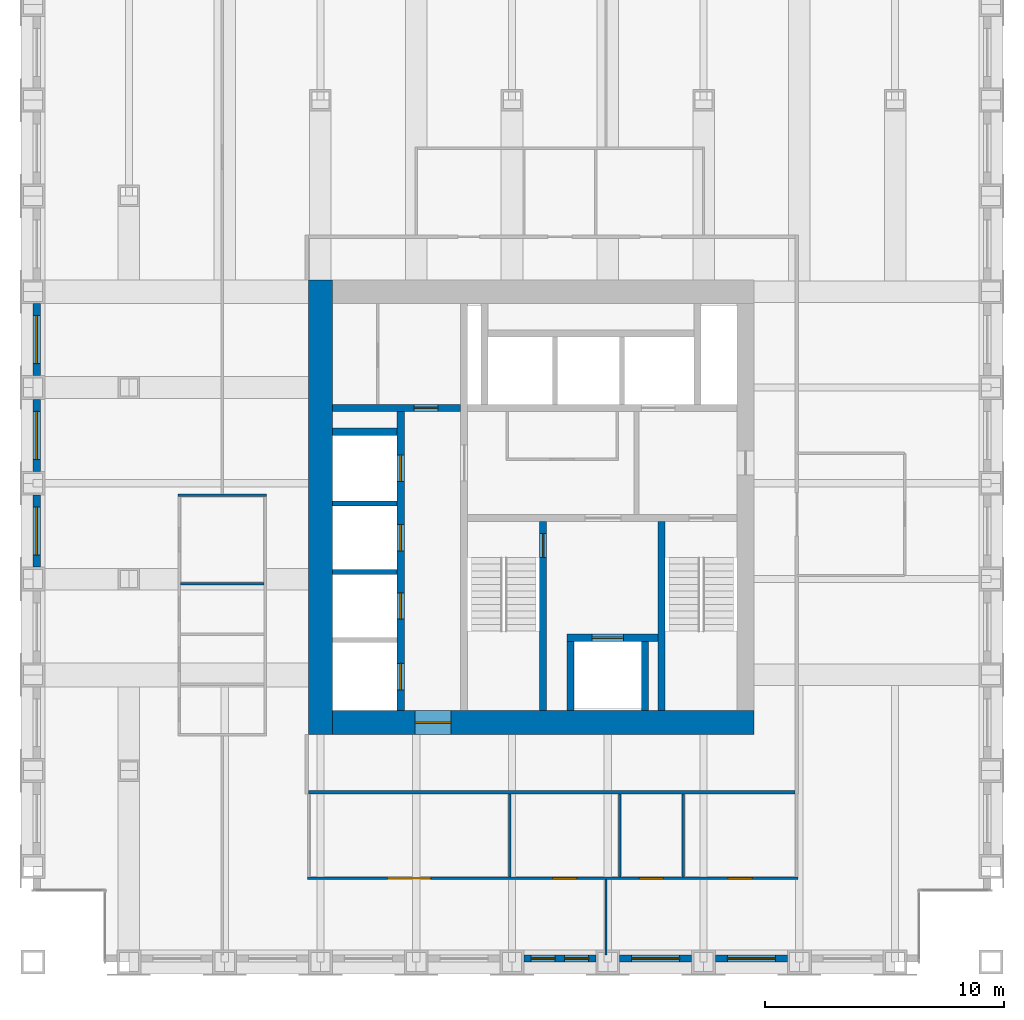
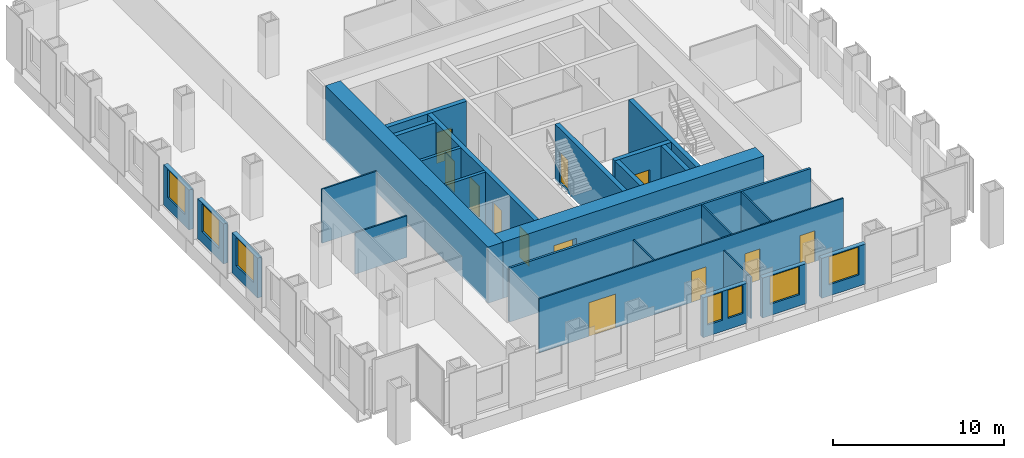
# One storey, part 9 of 13: 26 walls, 12 doors, 7 windows, 19 openings.
"""IFC4 building model written with IfcOpenShell, lengths in metres."""

from ifc_helpers import new_model, si_unit, direction, frame, frame_2d, origin, place, context, subcontext, project, spatial, rectangle, extrude, material, layer, layer_set, type_object, element, fill, save


model = new_model("IFC4")

# Units and contexts
model_context = context("Model", 3, precision=1e-05, world=origin(), true_north=direction((0.0, 1.0)))
body_context = subcontext(model_context, "Body", "Model", "MODEL_VIEW")
ifc_project = project(units=[si_unit("LENGTHUNIT", "METRE"), si_unit("AREAUNIT", "SQUARE_METRE"), si_unit("VOLUMEUNIT", "CUBIC_METRE"), si_unit("PLANEANGLEUNIT", "RADIAN"), si_unit("MASSUNIT", "GRAM", prefix="KILO")], contexts=[model_context])

# Site, building, storey
site_placement = place(None, origin())
site = spatial("IfcSite", under=ifc_project, at=site_placement, CompositionType="ELEMENT")
building_placement = place(site_placement, origin())
building = spatial("IfcBuilding", under=site, at=building_placement, Name="Rimbunsela Tower", CompositionType="ELEMENT")
storey_placement = place(building_placement, frame((0.0, 0.0, 195.800048828125)))
storey = spatial("IfcBuildingStorey", under=building, at=storey_placement, Name="L47", CompositionType="ELEMENT", Elevation=195.800048828125)

# Wall, opening, door
ifc_material_1 = material(Name="Concrete fc' 80 MPa", Category="concrete")
ifc_layer_1 = layer(ifc_material_1, 0.300048828125)
ifc_layer_set_1 = layer_set([ifc_layer_1], Name="Core internal wall 300")
wall_type_1 = type_object("IfcWallType", Name="Core internal wall 300", PredefinedType="SHEAR", material=ifc_layer_set_1)
wall_1_placement = place(storey_placement, frame((27.300048828125, 18.5, -0.150146484375), z_axis=(0.0, 0.0, 1.0), x_axis=(0.0, 1.0, 0.0)))
wall_1 = element("IfcWall", 1, at=wall_1_placement, inside=storey, type_object=wall_type_1, Name="Stair A enclosure", PredefinedType="SHEAR", context=body_context, shape_type="SweptSolid", body=[
    extrude(rectangle(XDim=7.89990234375, YDim=0.300048828125, at=frame_2d((3.949951171875, 0.0))), origin(), (0.0, 0.0, 1.0), 4.0),
])
opening_1_placement = place(wall_1_placement, frame((6.39990234375, 0.0, 0.14990234375)))
opening_1 = element("IfcOpeningElement", 2, at=opening_1_placement, cuts=wall_1, Name="Opening D01", PredefinedType="OPENING", context=body_context, shape_type="SweptSolid", body=[
    extrude(rectangle(XDim=1.0, YDim=2.199951171875, at=frame_2d((0.5, 1.10009765625))), frame((0.0, 0.159912109375, 0.0), z_axis=(0.0, -1.0, 0.0), x_axis=(1.0, 0.0, 0.0)), (0.0, 0.0, 1.0), 0.320068359375),
])
ifc_material_2 = material(Name="Steel door, fire rated", Category="steel")
door_type_1 = type_object("IfcDoorType", Name="Stair door 1000", OperationType="SINGLE_SWING_RIGHT", PredefinedType="DOOR", material=ifc_material_2)
door_1_placement = place(opening_1_placement, origin())
door_1 = element("IfcDoor", 3, at=door_1_placement, inside=storey, type_object=door_type_1, Name="Stair A door", OperationType="SINGLE_SWING_RIGHT", OverallHeight=2.199951171875, OverallWidth=1.0, PredefinedType="DOOR", context=body_context, shape_type="SweptSolid", body=[
    extrude(rectangle(XDim=1.0, YDim=2.199951171875, at=frame_2d((0.5, 1.10009765625))), frame((0.0, 0.02490234375, 0.0), z_axis=(0.0, -1.0, 0.0), x_axis=(1.0, 0.0, 0.0)), (0.0, 0.0, 1.0), 0.050048828125),
])
fill(opening_1, door_1)

# Walls
wall_2_placement = place(storey_placement, frame((32.25, 18.5, -0.150146484375), z_axis=(0.0, 0.0, 1.0), x_axis=(0.0, 1.0, 0.0)))
element("IfcWall", 4, at=wall_2_placement, inside=storey, type_object=wall_type_1, Name="Stair B enclosure", PredefinedType="SHEAR", context=body_context, shape_type="SweptSolid", body=[
    extrude(rectangle(XDim=7.89990234375, YDim=0.300048828125, at=frame_2d((3.949951171875, 0.0))), origin(), (0.0, 0.0, 1.0), 4.0),
])
for number, where, z_axis, x_axis, name in (
    (5, (28.449951171875, 18.5, -0.150146484375), (0.0, 0.0, 1.0), (0.0, 1.0, 0.0), "Firefighting lift shaft west"),
    (6, (31.550048828125, 18.5, -0.150146484375), (0.0, 0.0, 1.0), (0.0, 1.0, 0.0), "Firefighting lift shaft east"),
):
    element("IfcWall", number, at=place(storey_placement, frame(where, z_axis=z_axis, x_axis=x_axis)), inside=storey, type_object=wall_type_1, Name=name, PredefinedType="SHEAR", context=body_context, shape_type="SweptSolid", body=[
        extrude(rectangle(XDim=2.89990234375, YDim=0.300048828125, at=frame_2d((1.449951171875, 0.0))), origin(), (0.0, 0.0, 1.0), 4.0),
    ])

# Wall, opening, door
wall_3_placement = place(storey_placement, frame((28.300048828125, 21.550048828125, -0.150146484375), z_axis=(0.0, 0.0, 1.0), x_axis=(1.0, 0.0, 0.0)))
wall_3 = element("IfcWall", 7, at=wall_3_placement, inside=storey, type_object=wall_type_1, Name="Firefighting lift shaft front", PredefinedType="SHEAR", context=body_context, shape_type="SweptSolid", body=[
    extrude(rectangle(XDim=3.800048828125, YDim=0.300048828125, at=frame_2d((1.89990234375, 0.0))), origin(), (0.0, 0.0, 1.0), 4.0),
])
opening_2_placement = place(wall_3_placement, frame((1.050048828125, 0.0, 0.14990234375)))
opening_2 = element("IfcOpeningElement", 8, at=opening_2_placement, cuts=wall_3, Name="Opening LD2", PredefinedType="OPENING", context=body_context, shape_type="SweptSolid", body=[
    extrude(rectangle(XDim=1.300048828125, YDim=2.39990234375, at=frame_2d((0.64990234375, 1.199951171875))), frame((0.0, 0.159912109375, 0.0), z_axis=(0.0, -1.0, 0.0), x_axis=(1.0, 0.0, 0.0)), (0.0, 0.0, 1.0), 0.320068359375),
])
ifc_material_3 = material(Name="Steel door, fire rated", Category="steel")
door_type_2 = type_object("IfcDoorType", Name="Lift landing door 1300", OperationType="DOUBLE_DOOR_SLIDING", PredefinedType="DOOR", material=ifc_material_3)
door_2_placement = place(opening_2_placement, origin())
door_2 = element("IfcDoor", 9, at=door_2_placement, inside=storey, type_object=door_type_2, Name="Lift landing door FL1", OperationType="DOUBLE_DOOR_SLIDING", OverallHeight=2.39990234375, OverallWidth=1.300048828125, PredefinedType="DOOR", context=body_context, shape_type="SweptSolid", body=[
    extrude(rectangle(XDim=1.300048828125, YDim=2.39990234375, at=frame_2d((0.64990234375, 1.199951171875))), frame((0.0, 0.02490234375, 0.0), z_axis=(0.0, -1.0, 0.0), x_axis=(1.0, 0.0, 0.0)), (0.0, 0.0, 1.0), 0.050048828125),
])
fill(opening_2, door_2)

# Wall, openings, doors
wall_4_placement = place(storey_placement, frame((21.35009765625, 18.5, -0.150146484375), z_axis=(0.0, 0.0, 1.0), x_axis=(0.0, 1.0, 0.0)))
wall_4 = element("IfcWall", 10, at=wall_4_placement, inside=storey, type_object=wall_type_1, Name="Lift shaft front west", PredefinedType="SHEAR", context=body_context, shape_type="SweptSolid", body=[
    extrude(rectangle(XDim=12.5, YDim=0.300048828125, at=frame_2d((6.25, 0.0))), origin(), (0.0, 0.0, 1.0), 4.0),
])
opening_3_placement = place(wall_4_placement, frame((0.875, 0.0, 0.14990234375)))
opening_3 = element("IfcOpeningElement", 11, at=opening_3_placement, cuts=wall_4, Name="Opening LD1", PredefinedType="OPENING", context=body_context, shape_type="SweptSolid", body=[
    extrude(rectangle(XDim=1.10009765625, YDim=2.199951171875, at=frame_2d((0.550048828125, 1.10009765625))), frame((0.0, 0.159912109375, 0.0), z_axis=(0.0, -1.0, 0.0), x_axis=(1.0, 0.0, 0.0)), (0.0, 0.0, 1.0), 0.320068359375),
])
opening_4_placement = place(wall_4_placement, frame((3.824951171875, 0.0, 0.14990234375)))
opening_4 = element("IfcOpeningElement", 12, at=opening_4_placement, cuts=wall_4, Name="Opening LD1", PredefinedType="OPENING", context=body_context, shape_type="SweptSolid", body=[
    extrude(rectangle(XDim=1.10009765625, YDim=2.199951171875, at=frame_2d((0.550048828125, 1.10009765625))), frame((0.0, 0.159912109375, 0.0), z_axis=(0.0, -1.0, 0.0), x_axis=(1.0, 0.0, 0.0)), (0.0, 0.0, 1.0), 0.320068359375),
])
opening_5_placement = place(wall_4_placement, frame((6.675048828125, 0.0, 0.14990234375)))
opening_5 = element("IfcOpeningElement", 13, at=opening_5_placement, cuts=wall_4, Name="Opening LD1", PredefinedType="OPENING", context=body_context, shape_type="SweptSolid", body=[
    extrude(rectangle(XDim=1.10009765625, YDim=2.199951171875, at=frame_2d((0.550048828125, 1.10009765625))), frame((0.0, 0.159912109375, 0.0), z_axis=(0.0, -1.0, 0.0), x_axis=(1.0, 0.0, 0.0)), (0.0, 0.0, 1.0), 0.320068359375),
])
opening_6_placement = place(wall_4_placement, frame((9.574951171875, 0.0, 0.14990234375)))
opening_6 = element("IfcOpeningElement", 14, at=opening_6_placement, cuts=wall_4, Name="Opening LD1", PredefinedType="OPENING", context=body_context, shape_type="SweptSolid", body=[
    extrude(rectangle(XDim=1.10009765625, YDim=2.199951171875, at=frame_2d((0.550048828125, 1.10009765625))), frame((0.0, 0.159912109375, 0.0), z_axis=(0.0, -1.0, 0.0), x_axis=(1.0, 0.0, 0.0)), (0.0, 0.0, 1.0), 0.320068359375),
])
ifc_material_4 = material(Name="Steel door, fire rated", Category="steel")
door_type_3 = type_object("IfcDoorType", Name="Lift landing door 1100", OperationType="DOUBLE_DOOR_SLIDING", PredefinedType="DOOR", material=ifc_material_4)
door_3_placement = place(opening_3_placement, origin())
door_3 = element("IfcDoor", 15, at=door_3_placement, inside=storey, type_object=door_type_3, Name="Lift landing door HL1", OperationType="DOUBLE_DOOR_SLIDING", OverallHeight=2.199951171875, OverallWidth=1.10009765625, PredefinedType="DOOR", context=body_context, shape_type="SweptSolid", body=[
    extrude(rectangle(XDim=1.10009765625, YDim=2.199951171875, at=frame_2d((0.550048828125, 1.10009765625))), frame((0.0, 0.02490234375, 0.0), z_axis=(0.0, -1.0, 0.0), x_axis=(1.0, 0.0, 0.0)), (0.0, 0.0, 1.0), 0.050048828125),
])
fill(opening_3, door_3)
door_4_placement = place(opening_4_placement, origin())
door_4 = element("IfcDoor", 16, at=door_4_placement, inside=storey, type_object=door_type_3, Name="Lift landing door HL2", OperationType="DOUBLE_DOOR_SLIDING", OverallHeight=2.199951171875, OverallWidth=1.10009765625, PredefinedType="DOOR", context=body_context, shape_type="SweptSolid", body=[
    extrude(rectangle(XDim=1.10009765625, YDim=2.199951171875, at=frame_2d((0.550048828125, 1.10009765625))), frame((0.0, 0.02490234375, 0.0), z_axis=(0.0, -1.0, 0.0), x_axis=(1.0, 0.0, 0.0)), (0.0, 0.0, 1.0), 0.050048828125),
])
fill(opening_4, door_4)
door_5_placement = place(opening_5_placement, origin())
door_5 = element("IfcDoor", 17, at=door_5_placement, inside=storey, type_object=door_type_3, Name="Lift landing door HL3", OperationType="DOUBLE_DOOR_SLIDING", OverallHeight=2.199951171875, OverallWidth=1.10009765625, PredefinedType="DOOR", context=body_context, shape_type="SweptSolid", body=[
    extrude(rectangle(XDim=1.10009765625, YDim=2.199951171875, at=frame_2d((0.550048828125, 1.10009765625))), frame((0.0, 0.02490234375, 0.0), z_axis=(0.0, -1.0, 0.0), x_axis=(1.0, 0.0, 0.0)), (0.0, 0.0, 1.0), 0.050048828125),
])
fill(opening_5, door_5)
door_6_placement = place(opening_6_placement, origin())
door_6 = element("IfcDoor", 18, at=door_6_placement, inside=storey, type_object=door_type_3, Name="Lift landing door HL4", OperationType="DOUBLE_DOOR_SLIDING", OverallHeight=2.199951171875, OverallWidth=1.10009765625, PredefinedType="DOOR", context=body_context, shape_type="SweptSolid", body=[
    extrude(rectangle(XDim=1.10009765625, YDim=2.199951171875, at=frame_2d((0.550048828125, 1.10009765625))), frame((0.0, 0.02490234375, 0.0), z_axis=(0.0, -1.0, 0.0), x_axis=(1.0, 0.0, 0.0)), (0.0, 0.0, 1.0), 0.050048828125),
])
fill(opening_6, door_6)

# Wall, opening, door
wall_5_placement = place(storey_placement, frame((18.5, 31.14990234375, -0.150146484375), z_axis=(0.0, 0.0, 1.0), x_axis=(1.0, 0.0, 0.0)))
wall_5 = element("IfcWall", 19, at=wall_5_placement, inside=storey, type_object=wall_type_1, Name="Store wall", PredefinedType="SHEAR", context=body_context, shape_type="SweptSolid", body=[
    extrude(rectangle(XDim=5.35009765625, YDim=0.300048828125, at=frame_2d((2.675048828125, 0.0))), origin(), (0.0, 0.0, 1.0), 4.0),
])
opening_7_placement = place(wall_5_placement, frame((3.39990234375, 0.0, 0.14990234375)))
opening_7 = element("IfcOpeningElement", 20, at=opening_7_placement, cuts=wall_5, Name="Opening D19", PredefinedType="OPENING", context=body_context, shape_type="SweptSolid", body=[
    extrude(rectangle(XDim=1.0, YDim=2.199951171875, at=frame_2d((0.5, 1.10009765625))), frame((0.0, 0.159912109375, 0.0), z_axis=(0.0, -1.0, 0.0), x_axis=(1.0, 0.0, 0.0)), (0.0, 0.0, 1.0), 0.320068359375),
])
ifc_material_5 = material(Name="Steel door, fire rated", Category="steel")
door_type_4 = type_object("IfcDoorType", Name="Service door 1000 fire rated", OperationType="SINGLE_SWING_LEFT", PredefinedType="DOOR", material=ifc_material_5)
door_7_placement = place(opening_7_placement, origin())
door_7 = element("IfcDoor", 21, at=door_7_placement, inside=storey, type_object=door_type_4, Name="Facilities store door", OperationType="SINGLE_SWING_LEFT", OverallHeight=2.199951171875, OverallWidth=1.0, PredefinedType="DOOR", context=body_context, shape_type="SweptSolid", body=[
    extrude(rectangle(XDim=1.0, YDim=2.199951171875, at=frame_2d((0.5, 1.10009765625))), frame((0.0, 0.02490234375, 0.0), z_axis=(0.0, -1.0, 0.0), x_axis=(1.0, 0.0, 0.0)), (0.0, 0.0, 1.0), 0.050048828125),
])
fill(opening_7, door_7)

# Walls
wall_6_placement = place(storey_placement, frame((18.5, 30.14990234375, -0.150146484375), z_axis=(0.0, 0.0, 1.0), x_axis=(1.0, 0.0, 0.0)))
element("IfcWall", 22, at=wall_6_placement, inside=storey, type_object=wall_type_1, Name="Lift shaft rear west", PredefinedType="SHEAR", context=body_context, shape_type="SweptSolid", body=[
    extrude(rectangle(XDim=2.699951171875, YDim=0.300048828125, at=frame_2d((1.35009765625, 0.0))), origin(), (0.0, 0.0, 1.0), 4.0),
])
ifc_material_6 = material(Name="Concrete fc' 80 MPa", Category="concrete")
ifc_layer_2 = layer(ifc_material_6, 1.0)
ifc_layer_set_2 = layer_set([ifc_layer_2], Name="Core wall 1000")
wall_type_2 = type_object("IfcWallType", Name="Core wall 1000", PredefinedType="SHEAR", material=ifc_layer_set_2)
wall_7_placement = place(storey_placement, frame((18.0, 17.5, -0.150146484375), z_axis=(0.0, 0.0, 1.0), x_axis=(0.0, 1.0, 0.0)))
element("IfcWall", 23, at=wall_7_placement, inside=storey, type_object=wall_type_2, Name="Core wall west", PredefinedType="SHEAR", context=body_context, shape_type="SweptSolid", body=[
    extrude(rectangle(XDim=19.0, YDim=1.0, at=frame_2d((9.5, 0.0))), origin(), (0.0, 0.0, 1.0), 4.0),
])

# Wall, opening, door
wall_8_placement = place(storey_placement, frame((18.5, 18.0, -0.150146484375), z_axis=(0.0, 0.0, 1.0), x_axis=(1.0, 0.0, 0.0)))
wall_8 = element("IfcWall", 24, at=wall_8_placement, inside=storey, type_object=wall_type_2, Name="Core wall south", PredefinedType="SHEAR", context=body_context, shape_type="SweptSolid", body=[
    extrude(rectangle(XDim=17.60009765625, YDim=1.0, at=frame_2d((8.800048828125, 0.0))), origin(), (0.0, 0.0, 1.0), 4.0),
])
opening_8_placement = place(wall_8_placement, frame((3.449951171875, 0.0, 0.14990234375)))
opening_8 = element("IfcOpeningElement", 25, at=opening_8_placement, cuts=wall_8, Name="Opening D03", PredefinedType="OPENING", context=body_context, shape_type="SweptSolid", body=[
    extrude(rectangle(XDim=1.5, YDim=2.39990234375, at=frame_2d((0.75, 1.199951171875))), frame((0.0, 0.510009765625, 0.0), z_axis=(0.0, -1.0, 0.0), x_axis=(1.0, 0.0, 0.0)), (0.0, 0.0, 1.0), 1.02001953125),
])
ifc_material_7 = material(Name="Steel door, fire rated", Category="steel")
door_type_5 = type_object("IfcDoorType", Name="Core lobby door 1500", OperationType="DOUBLE_DOOR_DOUBLE_SWING", PredefinedType="DOOR", material=ifc_material_7)
door_8_placement = place(opening_8_placement, origin())
door_8 = element("IfcDoor", 26, at=door_8_placement, inside=storey, type_object=door_type_5, Name="Core door south", OperationType="DOUBLE_DOOR_DOUBLE_SWING", OverallHeight=2.39990234375, OverallWidth=1.5, PredefinedType="DOOR", context=body_context, shape_type="SweptSolid", body=[
    extrude(rectangle(XDim=1.5, YDim=2.39990234375, at=frame_2d((0.75, 1.199951171875))), frame((0.0, 0.02490234375, 0.0), z_axis=(0.0, -1.0, 0.0), x_axis=(1.0, 0.0, 0.0)), (0.0, 0.0, 1.0), 0.050048828125),
])
fill(opening_8, door_8)

# Walls
ifc_material_8 = material(Name="Concrete blockwork", Category="masonry")
ifc_layer_3 = layer(ifc_material_8, 0.199951171875)
ifc_layer_set_3 = layer_set([ifc_layer_3], Name="Lift shaft wall 200")
wall_type_3 = type_object("IfcWallType", Name="Lift shaft wall 200", PredefinedType="SOLIDWALL", material=ifc_layer_set_3)
for number, where, z_axis, x_axis, name in (
    (27, (18.5, 24.300048828125, -0.150146484375), (0.0, 0.0, 1.0), (1.0, 0.0, 0.0), "Lift shaft separation"),
    (28, (18.5, 27.14990234375, -0.150146484375), (0.0, 0.0, 1.0), (1.0, 0.0, 0.0), "Lift shaft separation"),
):
    element("IfcWall", number, at=place(storey_placement, frame(where, z_axis=z_axis, x_axis=x_axis)), inside=storey, type_object=wall_type_3, Name=name, PredefinedType="SOLIDWALL", context=body_context, shape_type="SweptSolid", body=[
        extrude(rectangle(XDim=2.699951171875, YDim=0.199951171875, at=frame_2d((1.35009765625, 0.0))), origin(), (0.0, 0.0, 1.0), 4.0),
    ])

# Wall, openings, doors
ifc_material_9 = material(Name="Gypsum board on steel studs", Category="steel")
ifc_layer_4 = layer(ifc_material_9, 0.10009765625)
ifc_layer_set_4 = layer_set([ifc_layer_4], Name="Office partition 100")
wall_type_4 = type_object("IfcWallType", Name="Office partition 100", PredefinedType="PARTITIONING", material=ifc_layer_set_4)
wall_9_placement = place(storey_placement, frame((17.449951171875, 11.5, 0.0), z_axis=(0.0, 0.0, 1.0), x_axis=(1.0, 0.0, 0.0)))
wall_9 = element("IfcWall", 29, at=wall_9_placement, inside=storey, type_object=wall_type_4, Name="Office partition", PredefinedType="PARTITIONING", context=body_context, shape_type="SweptSolid", body=[
    extrude(rectangle(XDim=20.5, YDim=0.10009765625, at=frame_2d((10.25, 0.0))), origin(), (0.0, 0.0, 1.0), 3.849853515625),
])
opening_9_placement = place(wall_9_placement, frame((3.35009765625, 0.0, 0.0)))
opening_9 = element("IfcOpeningElement", 30, at=opening_9_placement, cuts=wall_9, Name="Opening D18", PredefinedType="OPENING", context=body_context, shape_type="SweptSolid", body=[
    extrude(rectangle(XDim=1.800048828125, YDim=2.39990234375, at=frame_2d((0.89990234375, 1.199951171875))), frame((0.0, 0.06005859375, 0.0), z_axis=(0.0, -1.0, 0.0), x_axis=(1.0, 0.0, 0.0)), (0.0, 0.0, 1.0), 0.1201171875),
])
opening_10_placement = place(wall_9_placement, frame((10.25, 0.0, 0.0)))
opening_10 = element("IfcOpeningElement", 31, at=opening_10_placement, cuts=wall_9, Name="Opening D16", PredefinedType="OPENING", context=body_context, shape_type="SweptSolid", body=[
    extrude(rectangle(XDim=1.0, YDim=2.199951171875, at=frame_2d((0.5, 1.10009765625))), frame((0.0, 0.06005859375, 0.0), z_axis=(0.0, -1.0, 0.0), x_axis=(1.0, 0.0, 0.0)), (0.0, 0.0, 1.0), 0.1201171875),
])
opening_11_placement = place(wall_9_placement, frame((13.875, 0.0, 0.0)))
opening_11 = element("IfcOpeningElement", 32, at=opening_11_placement, cuts=wall_9, Name="Opening D16", PredefinedType="OPENING", context=body_context, shape_type="SweptSolid", body=[
    extrude(rectangle(XDim=1.0, YDim=2.199951171875, at=frame_2d((0.5, 1.10009765625))), frame((0.0, 0.06005859375, 0.0), z_axis=(0.0, -1.0, 0.0), x_axis=(1.0, 0.0, 0.0)), (0.0, 0.0, 1.0), 0.1201171875),
])
opening_12_placement = place(wall_9_placement, frame((17.574951171875, 0.0, 0.0)))
opening_12 = element("IfcOpeningElement", 33, at=opening_12_placement, cuts=wall_9, Name="Opening D16", PredefinedType="OPENING", context=body_context, shape_type="SweptSolid", body=[
    extrude(rectangle(XDim=1.0, YDim=2.199951171875, at=frame_2d((0.5, 1.10009765625))), frame((0.0, 0.06005859375, 0.0), z_axis=(0.0, -1.0, 0.0), x_axis=(1.0, 0.0, 0.0)), (0.0, 0.0, 1.0), 0.1201171875),
])
ifc_material_10 = material(Name="Glazed aluminium door", Category="aluminium")
door_type_6 = type_object("IfcDoorType", Name="Boardroom door 1800 glazed", OperationType="DOUBLE_DOOR_DOUBLE_SWING", PredefinedType="DOOR", material=ifc_material_10)
door_9_placement = place(opening_9_placement, origin())
door_9 = element("IfcDoor", 34, at=door_9_placement, inside=storey, type_object=door_type_6, Name="Boardroom door", OperationType="DOUBLE_DOOR_DOUBLE_SWING", OverallHeight=2.39990234375, OverallWidth=1.800048828125, PredefinedType="DOOR", context=body_context, shape_type="SweptSolid", body=[
    extrude(rectangle(XDim=1.800048828125, YDim=2.39990234375, at=frame_2d((0.89990234375, 1.199951171875))), frame((0.0, 0.02490234375, 0.0), z_axis=(0.0, -1.0, 0.0), x_axis=(1.0, 0.0, 0.0)), (0.0, 0.0, 1.0), 0.050048828125),
])
fill(opening_9, door_9)
ifc_material_11 = material(Name="Timber door", Category="wood")
door_type_7 = type_object("IfcDoorType", Name="Office door 1000", OperationType="SINGLE_SWING_LEFT", PredefinedType="DOOR", material=ifc_material_11)
door_10_placement = place(opening_10_placement, origin())
door_10 = element("IfcDoor", 35, at=door_10_placement, inside=storey, type_object=door_type_7, Name="Office door", OperationType="SINGLE_SWING_LEFT", OverallHeight=2.199951171875, OverallWidth=1.0, PredefinedType="DOOR", context=body_context, shape_type="SweptSolid", body=[
    extrude(rectangle(XDim=1.0, YDim=2.199951171875, at=frame_2d((0.5, 1.10009765625))), frame((0.0, 0.02490234375, 0.0), z_axis=(0.0, -1.0, 0.0), x_axis=(1.0, 0.0, 0.0)), (0.0, 0.0, 1.0), 0.050048828125),
])
fill(opening_10, door_10)
door_11_placement = place(opening_11_placement, origin())
door_11 = element("IfcDoor", 36, at=door_11_placement, inside=storey, type_object=door_type_7, Name="Office door", OperationType="SINGLE_SWING_LEFT", OverallHeight=2.199951171875, OverallWidth=1.0, PredefinedType="DOOR", context=body_context, shape_type="SweptSolid", body=[
    extrude(rectangle(XDim=1.0, YDim=2.199951171875, at=frame_2d((0.5, 1.10009765625))), frame((0.0, 0.02490234375, 0.0), z_axis=(0.0, -1.0, 0.0), x_axis=(1.0, 0.0, 0.0)), (0.0, 0.0, 1.0), 0.050048828125),
])
fill(opening_11, door_11)
door_12_placement = place(opening_12_placement, origin())
door_12 = element("IfcDoor", 37, at=door_12_placement, inside=storey, type_object=door_type_7, Name="Office door", OperationType="SINGLE_SWING_LEFT", OverallHeight=2.199951171875, OverallWidth=1.0, PredefinedType="DOOR", context=body_context, shape_type="SweptSolid", body=[
    extrude(rectangle(XDim=1.0, YDim=2.199951171875, at=frame_2d((0.5, 1.10009765625))), frame((0.0, 0.02490234375, 0.0), z_axis=(0.0, -1.0, 0.0), x_axis=(1.0, 0.0, 0.0)), (0.0, 0.0, 1.0), 0.050048828125),
])
fill(opening_12, door_12)

# Walls
wall_10_placement = place(storey_placement, frame((12.14990234375, 23.800048828125, 0.0), z_axis=(0.0, 0.0, 1.0), x_axis=(1.0, 0.0, 0.0)))
element("IfcWall", 38, at=wall_10_placement, inside=storey, type_object=wall_type_4, Name="Office partition", PredefinedType="PARTITIONING", context=body_context, shape_type="SweptSolid", body=[
    extrude(rectangle(XDim=3.5, YDim=0.10009765625, at=frame_2d((1.75, 0.0))), origin(), (0.0, 0.0, 1.0), 2.949951171875),
])
wall_11_placement = place(storey_placement, frame((12.050048828125, 27.5, 0.0), z_axis=(0.0, 0.0, 1.0), x_axis=(1.0, 0.0, 0.0)))
element("IfcWall", 39, at=wall_11_placement, inside=storey, type_object=wall_type_4, Name="Office partition", PredefinedType="PARTITIONING", context=body_context, shape_type="SweptSolid", body=[
    extrude(rectangle(XDim=3.699951171875, YDim=0.10009765625, at=frame_2d((1.85009765625, 0.0))), origin(), (0.0, 0.0, 1.0), 3.849853515625),
])
wall_12_placement = place(storey_placement, frame((25.89990234375, 11.550048828125, 0.0), z_axis=(0.0, 0.0, 1.0), x_axis=(0.0, 1.0, 0.0)))
element("IfcWall", 40, at=wall_12_placement, inside=storey, type_object=wall_type_4, Name="Office partition", PredefinedType="PARTITIONING", context=body_context, shape_type="SweptSolid", body=[
    extrude(rectangle(XDim=3.474853515625, YDim=0.10009765625, at=frame_2d((1.7373046875, 0.0))), origin(), (0.0, 0.0, 1.0), 2.949951171875),
])
for number, where, z_axis, x_axis, name in (
    (41, (30.5, 11.550048828125, 0.0), (0.0, 0.0, 1.0), (0.0, 1.0, 0.0), "Office partition"),
    (42, (33.14990234375, 11.550048828125, 0.0), (0.0, 0.0, 1.0), (0.0, 1.0, 0.0), "Office partition"),
):
    element("IfcWall", number, at=place(storey_placement, frame(where, z_axis=z_axis, x_axis=x_axis)), inside=storey, type_object=wall_type_4, Name=name, PredefinedType="PARTITIONING", context=body_context, shape_type="SweptSolid", body=[
        extrude(rectangle(XDim=3.474853515625, YDim=0.10009765625, at=frame_2d((1.7373046875, 0.0))), origin(), (0.0, 0.0, 1.0), 3.849853515625),
    ])
wall_13_placement = place(storey_placement, frame((29.925048828125, 11.449951171875, 0.0), z_axis=(0.0, 0.0, 1.0), x_axis=(0.0, -1.0, 0.0)))
element("IfcWall", 43, at=wall_13_placement, inside=storey, type_object=wall_type_4, Name="Office partition", PredefinedType="PARTITIONING", context=body_context, shape_type="SweptSolid", body=[
    extrude(rectangle(XDim=3.14990234375, YDim=0.10009765625, at=frame_2d((1.574951171875, 0.0))), origin(), (0.0, 0.0, 1.0), 2.949951171875),
])

# Wall, openings, windows
ifc_material_12 = material(Name="Precast concrete fc' 35 MPa", Category="concrete")
ifc_layer_5 = layer(ifc_material_12, 0.300048828125)
ifc_layer_set_5 = layer_set([ifc_layer_5], Name="Precast concrete fc' 35 MPa")
wall_type_5 = type_object("IfcWallType", Name="Precast facade panel 300", PredefinedType="ELEMENTEDWALL", material=ifc_layer_set_5)
wall_14_placement = place(storey_placement, frame((26.5, 8.14990234375, 0.0), z_axis=(0.0, 0.0, 1.0), x_axis=(1.0, 0.0, 0.0)))
wall_14 = element("IfcWall", 44, at=wall_14_placement, inside=storey, type_object=wall_type_5, Name="Facade panel S L47", PredefinedType="ELEMENTEDWALL", context=body_context, shape_type="SweptSolid", body=[
    extrude(rectangle(XDim=3.0, YDim=0.300048828125, at=frame_2d((1.5, 0.0))), origin(), (0.0, 0.0, 1.0), 2.849853515625),
])
opening_13_placement = place(wall_14_placement, frame((0.300048828125, 0.0, 0.800048828125)))
opening_13 = element("IfcOpeningElement", 45, at=opening_13_placement, cuts=wall_14, Name="Opening W5", PredefinedType="OPENING", context=body_context, shape_type="SweptSolid", body=[
    extrude(rectangle(XDim=1.0, YDim=2.0, at=frame_2d((0.5, 1.0))), frame((0.0, 0.159912109375, 0.0), z_axis=(0.0, -1.0, 0.0), x_axis=(1.0, 0.0, 0.0)), (0.0, 0.0, 1.0), 0.320068359375),
])
opening_14_placement = place(wall_14_placement, frame((1.699951171875, 0.0, 0.800048828125)))
opening_14 = element("IfcOpeningElement", 46, at=opening_14_placement, cuts=wall_14, Name="Opening W5", PredefinedType="OPENING", context=body_context, shape_type="SweptSolid", body=[
    extrude(rectangle(XDim=1.0, YDim=2.0, at=frame_2d((0.5, 1.0))), frame((0.0, 0.159912109375, 0.0), z_axis=(0.0, -1.0, 0.0), x_axis=(1.0, 0.0, 0.0)), (0.0, 0.0, 1.0), 0.320068359375),
])
ifc_material_13 = material(Name="Clear glass in aluminium frame", Category="aluminium")
window_type_1 = type_object("IfcWindowType", Name="Window W5 1000x2000", PartitioningType="SINGLE_PANEL", PredefinedType="WINDOW", material=ifc_material_13)
window_1_placement = place(opening_13_placement, origin())
window_1 = element("IfcWindow", 47, at=window_1_placement, inside=storey, type_object=window_type_1, Name="Window L47", OverallHeight=2.0, OverallWidth=1.0, PartitioningType="SINGLE_PANEL", PredefinedType="WINDOW", context=body_context, shape_type="SweptSolid", body=[
    extrude(rectangle(XDim=1.0, YDim=2.0, at=frame_2d((0.5, 1.0))), frame((0.0, 0.030029296875, 0.0), z_axis=(0.0, -1.0, 0.0), x_axis=(1.0, 0.0, 0.0)), (0.0, 0.0, 1.0), 0.06005859375),
])
fill(opening_13, window_1)
window_2_placement = place(opening_14_placement, origin())
window_2 = element("IfcWindow", 48, at=window_2_placement, inside=storey, type_object=window_type_1, Name="Window L47", OverallHeight=2.0, OverallWidth=1.0, PartitioningType="SINGLE_PANEL", PredefinedType="WINDOW", context=body_context, shape_type="SweptSolid", body=[
    extrude(rectangle(XDim=1.0, YDim=2.0, at=frame_2d((0.5, 1.0))), frame((0.0, 0.030029296875, 0.0), z_axis=(0.0, -1.0, 0.0), x_axis=(1.0, 0.0, 0.0)), (0.0, 0.0, 1.0), 0.06005859375),
])
fill(opening_14, window_2)

# Wall, opening, window
wall_15_placement = place(storey_placement, frame((30.5, 8.14990234375, 0.0), z_axis=(0.0, 0.0, 1.0), x_axis=(1.0, 0.0, 0.0)))
wall_15 = element("IfcWall", 49, at=wall_15_placement, inside=storey, type_object=wall_type_5, Name="Facade panel S L47", PredefinedType="ELEMENTEDWALL", context=body_context, shape_type="SweptSolid", body=[
    extrude(rectangle(XDim=3.0, YDim=0.300048828125, at=frame_2d((1.5, 0.0))), origin(), (0.0, 0.0, 1.0), 2.849853515625),
])
opening_15_placement = place(wall_15_placement, frame((0.5, 0.0, 0.800048828125)))
opening_15 = element("IfcOpeningElement", 50, at=opening_15_placement, cuts=wall_15, Name="Opening W1", PredefinedType="OPENING", context=body_context, shape_type="SweptSolid", body=[
    extrude(rectangle(XDim=2.0, YDim=2.0, at=frame_2d((1.0, 1.0))), frame((0.0, 0.159912109375, 0.0), z_axis=(0.0, -1.0, 0.0), x_axis=(1.0, 0.0, 0.0)), (0.0, 0.0, 1.0), 0.320068359375),
])
ifc_material_14 = material(Name="Clear glass in aluminium frame", Category="aluminium")
window_type_2 = type_object("IfcWindowType", Name="Window W1 2000x2000", PartitioningType="DOUBLE_PANEL_VERTICAL", PredefinedType="WINDOW", material=ifc_material_14)
window_3_placement = place(opening_15_placement, origin())
window_3 = element("IfcWindow", 51, at=window_3_placement, inside=storey, type_object=window_type_2, Name="Window L47", OverallHeight=2.0, OverallWidth=2.0, PartitioningType="SINGLE_PANEL", PredefinedType="WINDOW", context=body_context, shape_type="SweptSolid", body=[
    extrude(rectangle(XDim=2.0, YDim=2.0, at=frame_2d((1.0, 1.0))), frame((0.0, 0.030029296875, 0.0), z_axis=(0.0, -1.0, 0.0), x_axis=(1.0, 0.0, 0.0)), (0.0, 0.0, 1.0), 0.06005859375),
])
fill(opening_15, window_3)

wall_16_placement = place(storey_placement, frame((34.5, 8.14990234375, 0.0), z_axis=(0.0, 0.0, 1.0), x_axis=(1.0, 0.0, 0.0)))
wall_16 = element("IfcWall", 52, at=wall_16_placement, inside=storey, type_object=wall_type_5, Name="Facade panel S L47", PredefinedType="ELEMENTEDWALL", context=body_context, shape_type="SweptSolid", body=[
    extrude(rectangle(XDim=3.0, YDim=0.300048828125, at=frame_2d((1.5, 0.0))), origin(), (0.0, 0.0, 1.0), 2.849853515625),
])
opening_16_placement = place(wall_16_placement, frame((0.5, 0.0, 0.800048828125)))
opening_16 = element("IfcOpeningElement", 53, at=opening_16_placement, cuts=wall_16, Name="Opening W1", PredefinedType="OPENING", context=body_context, shape_type="SweptSolid", body=[
    extrude(rectangle(XDim=2.0, YDim=2.0, at=frame_2d((1.0, 1.0))), frame((0.0, 0.159912109375, 0.0), z_axis=(0.0, -1.0, 0.0), x_axis=(1.0, 0.0, 0.0)), (0.0, 0.0, 1.0), 0.320068359375),
])
window_4_placement = place(opening_16_placement, origin())
window_4 = element("IfcWindow", 54, at=window_4_placement, inside=storey, type_object=window_type_2, Name="Window L47", OverallHeight=2.0, OverallWidth=2.0, PartitioningType="SINGLE_PANEL", PredefinedType="WINDOW", context=body_context, shape_type="SweptSolid", body=[
    extrude(rectangle(XDim=2.0, YDim=2.0, at=frame_2d((1.0, 1.0))), frame((0.0, 0.030029296875, 0.0), z_axis=(0.0, -1.0, 0.0), x_axis=(1.0, 0.0, 0.0)), (0.0, 0.0, 1.0), 0.06005859375),
])
fill(opening_16, window_4)

wall_17_placement = place(storey_placement, frame((6.14990234375, 27.5, 0.0), z_axis=(0.0, 0.0, 1.0), x_axis=(0.0, -1.0, 0.0)))
wall_17 = element("IfcWall", 55, at=wall_17_placement, inside=storey, type_object=wall_type_5, Name="Facade panel W L47", PredefinedType="ELEMENTEDWALL", context=body_context, shape_type="SweptSolid", body=[
    extrude(rectangle(XDim=3.0, YDim=0.300048828125, at=frame_2d((1.5, 0.0))), origin(), (0.0, 0.0, 1.0), 2.849853515625),
])
opening_17_placement = place(wall_17_placement, frame((0.5, 0.0, 0.800048828125)))
opening_17 = element("IfcOpeningElement", 56, at=opening_17_placement, cuts=wall_17, Name="Opening W1", PredefinedType="OPENING", context=body_context, shape_type="SweptSolid", body=[
    extrude(rectangle(XDim=2.0, YDim=2.0, at=frame_2d((1.0, 1.0))), frame((0.0, 0.159912109375, 0.0), z_axis=(0.0, -1.0, 0.0), x_axis=(1.0, 0.0, 0.0)), (0.0, 0.0, 1.0), 0.320068359375),
])
window_5_placement = place(opening_17_placement, origin())
window_5 = element("IfcWindow", 57, at=window_5_placement, inside=storey, type_object=window_type_2, Name="Window L47", OverallHeight=2.0, OverallWidth=2.0, PartitioningType="SINGLE_PANEL", PredefinedType="WINDOW", context=body_context, shape_type="SweptSolid", body=[
    extrude(rectangle(XDim=2.0, YDim=2.0, at=frame_2d((1.0, 1.0))), frame((0.0, 0.030029296875, 0.0), z_axis=(0.0, -1.0, 0.0), x_axis=(1.0, 0.0, 0.0)), (0.0, 0.0, 1.0), 0.06005859375),
])
fill(opening_17, window_5)

wall_18_placement = place(storey_placement, frame((6.14990234375, 31.5, 0.0), z_axis=(0.0, 0.0, 1.0), x_axis=(0.0, -1.0, 0.0)))
wall_18 = element("IfcWall", 58, at=wall_18_placement, inside=storey, type_object=wall_type_5, Name="Facade panel W L47", PredefinedType="ELEMENTEDWALL", context=body_context, shape_type="SweptSolid", body=[
    extrude(rectangle(XDim=3.0, YDim=0.300048828125, at=frame_2d((1.5, 0.0))), origin(), (0.0, 0.0, 1.0), 2.849853515625),
])
opening_18_placement = place(wall_18_placement, frame((0.5, 0.0, 0.800048828125)))
opening_18 = element("IfcOpeningElement", 59, at=opening_18_placement, cuts=wall_18, Name="Opening W1", PredefinedType="OPENING", context=body_context, shape_type="SweptSolid", body=[
    extrude(rectangle(XDim=2.0, YDim=2.0, at=frame_2d((1.0, 1.0))), frame((0.0, 0.159912109375, 0.0), z_axis=(0.0, -1.0, 0.0), x_axis=(1.0, 0.0, 0.0)), (0.0, 0.0, 1.0), 0.320068359375),
])
window_6_placement = place(opening_18_placement, origin())
window_6 = element("IfcWindow", 60, at=window_6_placement, inside=storey, type_object=window_type_2, Name="Window L47", OverallHeight=2.0, OverallWidth=2.0, PartitioningType="SINGLE_PANEL", PredefinedType="WINDOW", context=body_context, shape_type="SweptSolid", body=[
    extrude(rectangle(XDim=2.0, YDim=2.0, at=frame_2d((1.0, 1.0))), frame((0.0, 0.030029296875, 0.0), z_axis=(0.0, -1.0, 0.0), x_axis=(1.0, 0.0, 0.0)), (0.0, 0.0, 1.0), 0.06005859375),
])
fill(opening_18, window_6)

wall_19_placement = place(storey_placement, frame((6.14990234375, 35.5, 0.0), z_axis=(0.0, 0.0, 1.0), x_axis=(0.0, -1.0, 0.0)))
wall_19 = element("IfcWall", 61, at=wall_19_placement, inside=storey, type_object=wall_type_5, Name="Facade panel W L47", PredefinedType="ELEMENTEDWALL", context=body_context, shape_type="SweptSolid", body=[
    extrude(rectangle(XDim=3.0, YDim=0.300048828125, at=frame_2d((1.5, 0.0))), origin(), (0.0, 0.0, 1.0), 2.849853515625),
])
opening_19_placement = place(wall_19_placement, frame((0.5, 0.0, 0.800048828125)))
opening_19 = element("IfcOpeningElement", 62, at=opening_19_placement, cuts=wall_19, Name="Opening W1", PredefinedType="OPENING", context=body_context, shape_type="SweptSolid", body=[
    extrude(rectangle(XDim=2.0, YDim=2.0, at=frame_2d((1.0, 1.0))), frame((0.0, 0.159912109375, 0.0), z_axis=(0.0, -1.0, 0.0), x_axis=(1.0, 0.0, 0.0)), (0.0, 0.0, 1.0), 0.320068359375),
])
window_7_placement = place(opening_19_placement, origin())
window_7 = element("IfcWindow", 63, at=window_7_placement, inside=storey, type_object=window_type_2, Name="Window L47", OverallHeight=2.0, OverallWidth=2.0, PartitioningType="SINGLE_PANEL", PredefinedType="WINDOW", context=body_context, shape_type="SweptSolid", body=[
    extrude(rectangle(XDim=2.0, YDim=2.0, at=frame_2d((1.0, 1.0))), frame((0.0, 0.030029296875, 0.0), z_axis=(0.0, -1.0, 0.0), x_axis=(1.0, 0.0, 0.0)), (0.0, 0.0, 1.0), 0.06005859375),
])
fill(opening_19, window_7)

# Wall
ifc_material_15 = material(Name="Fire-rated gypsum board on steel studs, EI 60", Category="steel")
ifc_layer_6 = layer(ifc_material_15, 0.14990234375)
ifc_layer_set_6 = layer_set([ifc_layer_6], Name="Rated corridor wall 150")
wall_type_6 = type_object("IfcWallType", Name="Rated corridor wall 150", PredefinedType="PARTITIONING", material=ifc_layer_set_6)
wall_20_placement = place(storey_placement, frame((17.5, 15.10009765625, 0.0), z_axis=(0.0, 0.0, 1.0), x_axis=(1.0, 0.0, 0.0)))
element("IfcWall", 64, at=wall_20_placement, inside=storey, type_object=wall_type_6, Name="Corridor wall south", PredefinedType="PARTITIONING", context=body_context, shape_type="SweptSolid", body=[
    extrude(rectangle(XDim=20.324951171875, YDim=0.14990234375, at=frame_2d((10.16259765625, 0.0))), origin(), (0.0, 0.0, 1.0), 3.849853515625),
])

save(model, "model.ifc")
